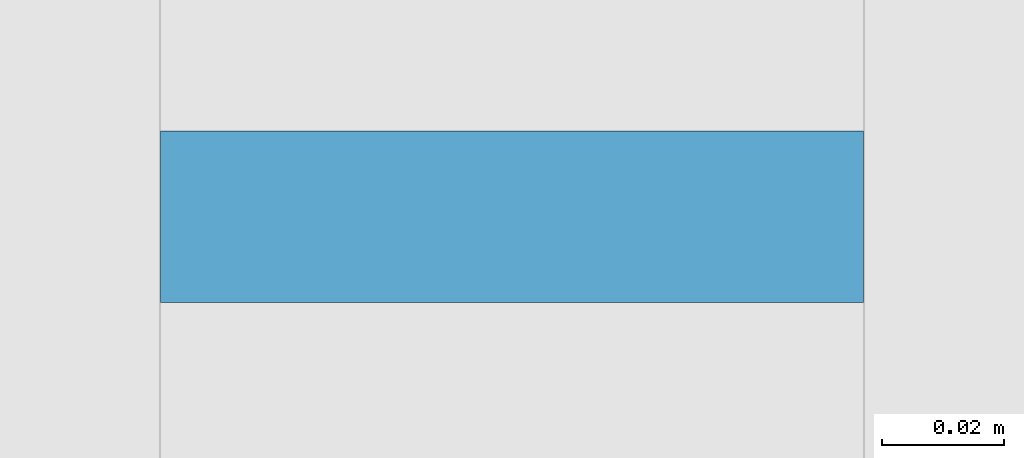
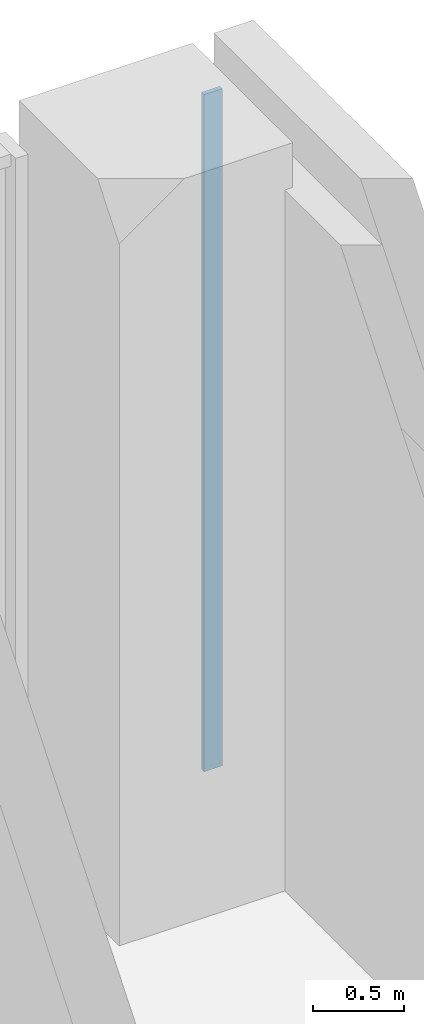
# One storey, part 11 of 22: 1 plate, 1 element without a shape of its own.
"""IFC4 building model written with IfcOpenShell, lengths in metres."""

from ifc_helpers import new_model, si_unit, direction, frame, origin, origin_2d, place, context, subcontext, project, spatial, rectangle, extrude, material, layer, layer_set, type_object, element, aggregate, save


model = new_model("IFC4")

# Units and contexts
model_context = context("Model", 3, precision=1e-05, world=origin(), true_north=direction((0.0, 1.0)))
body_context = subcontext(model_context, "Body", "Model", "MODEL_VIEW")
ifc_project = project(units=[si_unit("LENGTHUNIT", "METRE"), si_unit("AREAUNIT", "SQUARE_METRE"), si_unit("VOLUMEUNIT", "CUBIC_METRE"), si_unit("PLANEANGLEUNIT", "RADIAN"), si_unit("MASSUNIT", "GRAM", prefix="KILO")], contexts=[model_context])

# Site, building, storey
site_placement = place(None, origin())
site = spatial("IfcSite", under=ifc_project, at=site_placement, CompositionType="ELEMENT")
building_placement = place(site_placement, origin())
building = spatial("IfcBuilding", under=site, at=building_placement, Name="Cleftline Residences", CompositionType="ELEMENT")
storey_placement = place(building_placement, frame((0.0, 0.0, 6.0)))
storey = spatial("IfcBuildingStorey", under=building, at=storey_placement, Name="L01", CompositionType="ELEMENT", Elevation=6.0)

# Curtain wall, plate
ifc_material_1 = material(Name="Aluminium framed curtain wall", Category="aluminium")
ifc_layer_1 = layer(ifc_material_1, 0.199951171875)
ifc_layer_set_1 = layer_set([ifc_layer_1], Name="CW2 PODIUM GLAZING")
curtain_wall_type = type_object("IfcCurtainWallType", Name="CW2 PODIUM GLAZING", PredefinedType="NOTDEFINED", material=ifc_layer_set_1)
curtain_wall_placement = place(storey_placement, origin())
curtain_wall = element("IfcCurtainWall", 1, at=curtain_wall_placement, inside=storey, type_object=curtain_wall_type, Name="Curtain wall CW2", PredefinedType="NOTDEFINED")
ifc_material_2 = material(Name="Laminated clear glass", Category="glass")
ifc_layer_2 = layer(ifc_material_2, 0.028076171875)
ifc_layer_set_2 = layer_set([ifc_layer_2], Name="CW2 GLASS PANEL")
plate_type = type_object("IfcPlateType", Name="CW2 GLASS PANEL", PredefinedType="CURTAIN_PANEL", material=ifc_layer_set_2)
plate_placement = place(storey_placement, frame((74.6875, 56.574951171875, 0.080078125), z_axis=(0.0, 0.0, 1.0), x_axis=(-1.0, 0.0, 0.0)))
plate = element("IfcPlate", 2, at=plate_placement, type_object=plate_type, Name="CW2 panel 1.1", PredefinedType="CURTAIN_PANEL", context=body_context, shape_type="SweptSolid", body=[
    extrude(rectangle(XDim=0.114990234375, YDim=0.028076171875, at=origin_2d()), origin(), (0.0, 0.0, 1.0), 4.5400390625),
])
aggregate(curtain_wall, [plate])

save(model, "model.ifc")
